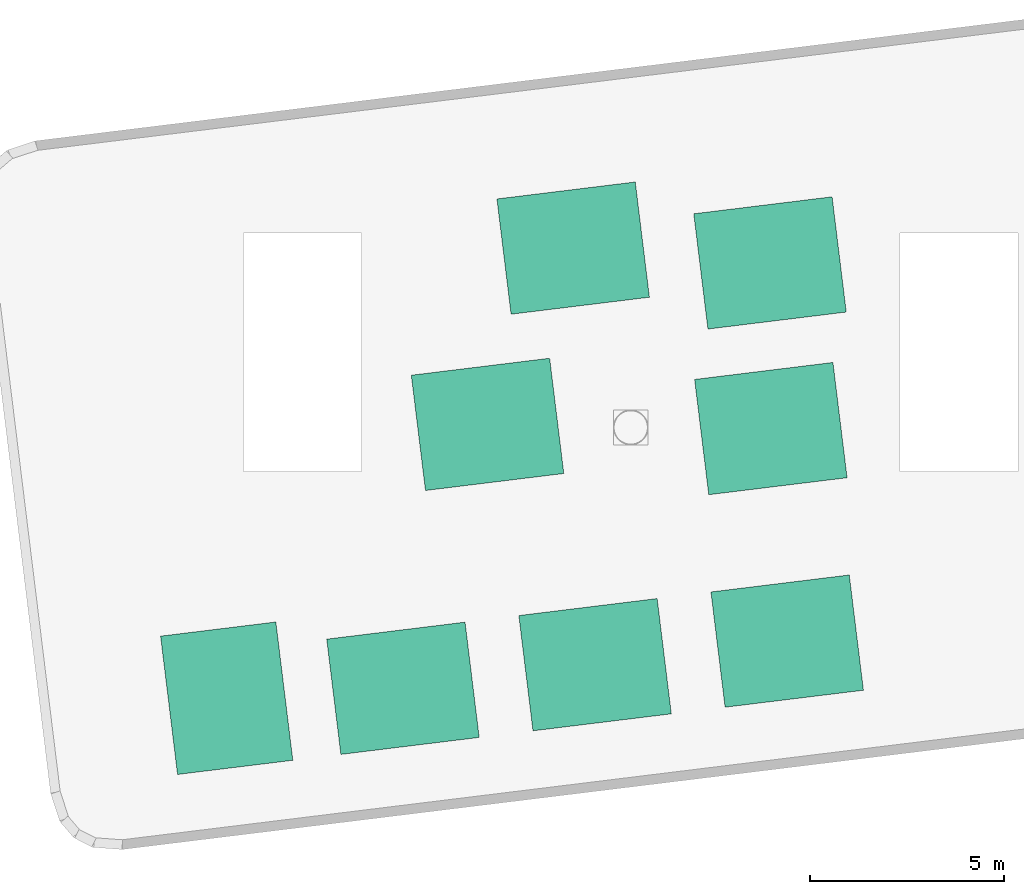
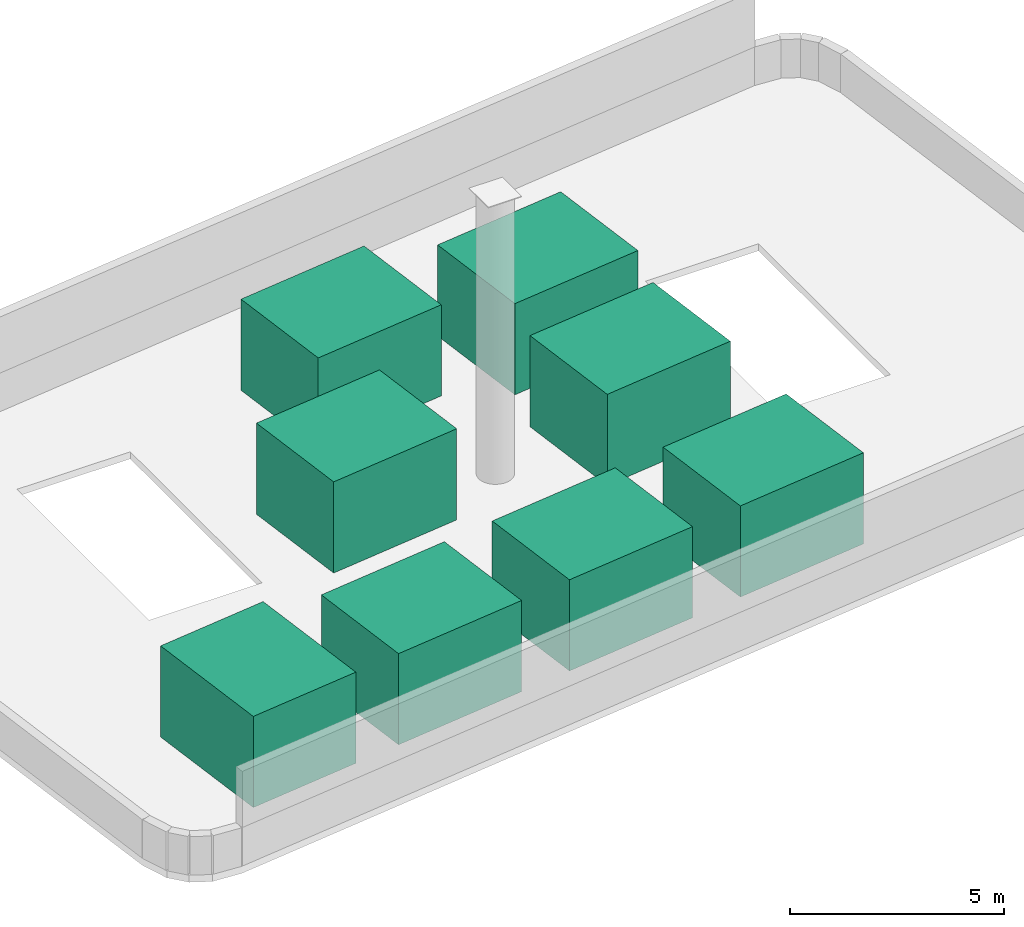
# One storey, part 2 of 2: 8 cooling towers.
"""IFC4 building model written with IfcOpenShell, lengths in metres."""

from ifc_helpers import new_model, si_unit, direction, frame, origin, origin_2d, place, context, subcontext, project, spatial, rectangle, extrude, material, type_object, element, save


model = new_model("IFC4")

# Units and contexts
model_context = context("Model", 3, precision=1e-05, world=origin(), true_north=direction((0.0, 1.0)))
body_context = subcontext(model_context, "Body", "Model", "MODEL_VIEW")
ifc_project = project(units=[si_unit("LENGTHUNIT", "METRE"), si_unit("AREAUNIT", "SQUARE_METRE"), si_unit("VOLUMEUNIT", "CUBIC_METRE"), si_unit("PLANEANGLEUNIT", "RADIAN"), si_unit("MASSUNIT", "GRAM", prefix="KILO")], contexts=[model_context])

# Site, building, storey
site_placement = place(None, origin())
site = spatial("IfcSite", under=ifc_project, at=site_placement, CompositionType="ELEMENT")
building_placement = place(site_placement, origin())
building = spatial("IfcBuilding", under=site, at=building_placement, Name="Torana Hotel and Residences", CompositionType="ELEMENT")
storey_placement = place(building_placement, frame((0.0, 0.0, 375.60009765625)))
storey = spatial("IfcBuildingStorey", under=building, at=storey_placement, Name="ROOF", CompositionType="ELEMENT", Elevation=375.60009765625)

# Cooling towers
ifc_material = material(Name="Galvanised steel casing", Category="steel")
cooling_tower_type = type_object("IfcCoolingTowerType", Name="CT1 COOLING TOWER 3600x3000", PredefinedType="MECHANICALINDUCEDDRAFT", material=ifc_material)
for number, where, z_axis, x_axis, name in (
    (1, (4.04052734375, -12.884765625, -0.000244140625), (0.0, 0.0, 1.0), (0.99254657704, 0.121865878765, 0.0), "Cooling tower CT1.1"),
    (2, (-0.922119140625, -13.494140625, -0.000244140625), (0.0, 0.0, 1.0), (0.99254657704, 0.121865878765, 0.0), "Cooling tower CT1.2"),
    (3, (-5.884765625, -14.103515625, -0.000244140625), (0.0, 0.0, 1.0), (0.99254657704, 0.121865878765, 0.0), "Cooling tower CT1.3"),
):
    element("IfcCoolingTower", number, at=place(storey_placement, frame(where, z_axis=z_axis, x_axis=x_axis)), inside=storey, type_object=cooling_tower_type, Name=name, PredefinedType="MECHANICALINDUCEDDRAFT", context=body_context, shape_type="SweptSolid", body=[
        extrude(rectangle(XDim=3.60009765625, YDim=3.0, at=origin_2d()), origin(), (0.0, 0.0, 1.0), 2.60009765625),
    ])
cooling_tower_placement = place(storey_placement, frame((-10.4375, -14.360107421875, -0.000244140625), z_axis=(0.0, 0.0, 1.0), x_axis=(0.99254657704, 0.121865878765, 0.0)))
element("IfcCoolingTower", 4, at=cooling_tower_placement, inside=storey, type_object=cooling_tower_type, Name="Cooling tower CT1.4", PredefinedType="MECHANICALINDUCEDDRAFT", context=body_context, shape_type="SweptSolid", body=[
    extrude(rectangle(XDim=3.0, YDim=3.60009765625, at=origin_2d()), origin(), (0.0, 0.0, 1.0), 2.60009765625),
])
for number, where, z_axis, x_axis, name in (
    (5, (3.618408203125, -7.395263671875, -0.000244140625), (0.0, 0.0, 1.0), (0.99254657704, 0.121865878765, 0.0), "Cooling tower CT1.5"),
    (6, (-3.69921875, -7.2861328125, -0.000244140625), (0.0, 0.0, 1.0), (0.99254657704, 0.121865878765, 0.0), "Cooling tower CT1.6"),
    (7, (3.5966796875, -3.115966796875, -0.000244140625), (0.0, 0.0, 1.0), (0.99254657704, 0.121865878765, 0.0), "Cooling tower CT1.7"),
    (8, (-1.48779296875, -2.73291015625, -0.000244140625), (0.0, 0.0, 1.0), (0.99254657704, 0.121865878765, 0.0), "Cooling tower CT1.8"),
):
    element("IfcCoolingTower", number, at=place(storey_placement, frame(where, z_axis=z_axis, x_axis=x_axis)), inside=storey, type_object=cooling_tower_type, Name=name, PredefinedType="MECHANICALINDUCEDDRAFT", context=body_context, shape_type="SweptSolid", body=[
        extrude(rectangle(XDim=3.60009765625, YDim=3.0, at=origin_2d()), origin(), (0.0, 0.0, 1.0), 2.60009765625),
    ])

save(model, "model.ifc")
